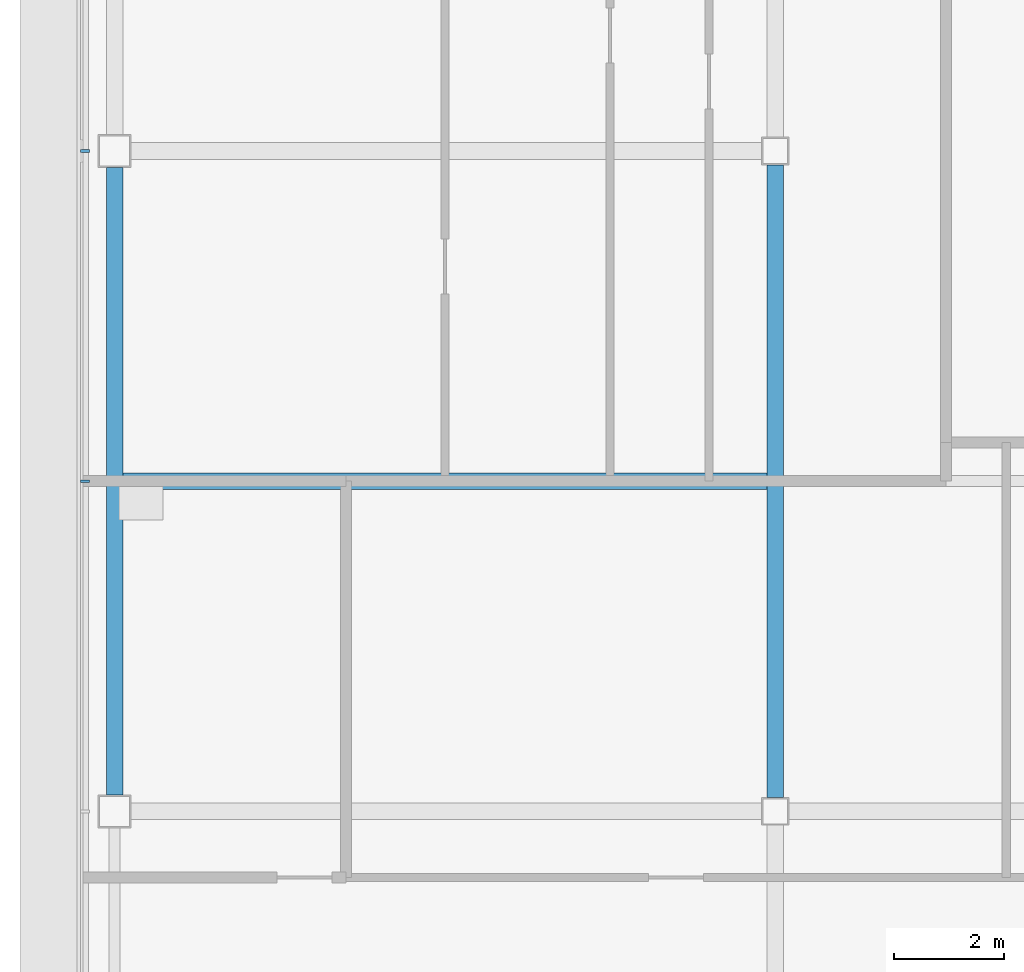
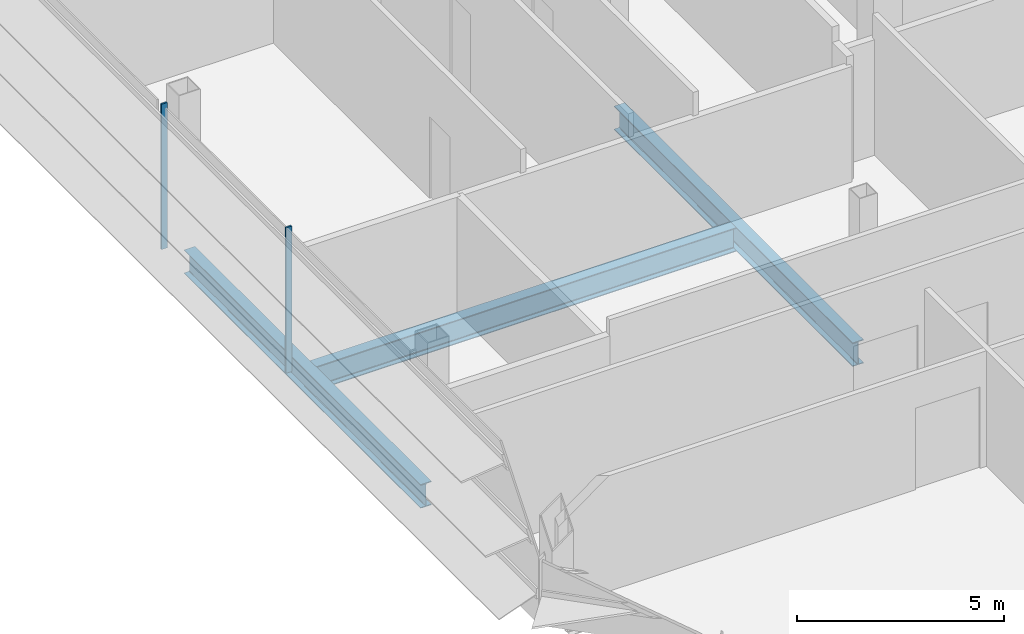
# One storey, part 5 of 29: 3 beams, 2 members, 1 element without a shape of its own.
"""IFC4 building model written with IfcOpenShell, lengths in metres."""

from ifc_helpers import new_model, si_unit, direction, frame, origin, origin_2d, place, context, subcontext, project, spatial, rectangle, i_section, extrude, material, material_profile, profile_set, type_object, element, aggregate, save


model = new_model("IFC4")

# Units and contexts
model_context = context("Model", 3, precision=1e-05, world=origin(), true_north=direction((0.0, 1.0)))
body_context = subcontext(model_context, "Body", "Model", "MODEL_VIEW")
ifc_project = project(units=[si_unit("LENGTHUNIT", "METRE"), si_unit("AREAUNIT", "SQUARE_METRE"), si_unit("VOLUMEUNIT", "CUBIC_METRE"), si_unit("PLANEANGLEUNIT", "RADIAN"), si_unit("MASSUNIT", "GRAM", prefix="KILO")], contexts=[model_context])

# Site, building, storey
site_placement = place(None, origin())
site = spatial("IfcSite", under=ifc_project, at=site_placement, CompositionType="ELEMENT")
building_placement = place(site_placement, origin())
building = spatial("IfcBuilding", under=site, at=building_placement, Name="Sorahane Residences", CompositionType="ELEMENT")
storey_placement = place(building_placement, frame((0.0, 0.0, 277.39990234375)))
storey = spatial("IfcBuildingStorey", under=building, at=storey_placement, Name="L66", CompositionType="ELEMENT", Elevation=277.39990234375)

# Curtain wall, members
ifc_material_1 = material(Name="Dark low-e glass and black anodised aluminium", Category="aluminium")
curtain_wall_type = type_object("IfcCurtainWallType", Name="Curtain wall CW-1 Typical unitised wall", PredefinedType="NOTDEFINED", material=ifc_material_1)
curtain_wall_placement = place(storey_placement, origin())
curtain_wall = element("IfcCurtainWall", 1, at=curtain_wall_placement, inside=storey, type_object=curtain_wall_type, Name="CW-1 curtain wall L66 W1", PredefinedType="NOTDEFINED")
ifc_material_2 = material(Name="Black anodised aluminium", Category="aluminium")
ifc_material_profile_1 = material_profile(ifc_material_2, rectangle(XDim=0.159912109375, YDim=0.050048828125, at=origin_2d()), Name="Curtain wall mullion CW-1 black anodised aluminium 50x160")
ifc_profile_set_1 = profile_set([ifc_material_profile_1], Name="Black anodised aluminium")
member_type = type_object("IfcMemberType", Name="Curtain wall mullion CW-1 black anodised aluminium 50x160", PredefinedType="MULLION", material=ifc_profile_set_1)
member_1_placement = place(storey_placement, frame((-12.5400390625, 24.0, -0.179931640625), z_axis=(0.0, 0.0, 1.0), x_axis=(-1.0, 0.0, 0.0)))
member_1 = element("IfcMember", 2, at=member_1_placement, type_object=member_type, Name="CW-1 mullion L66 W1.4", PredefinedType="MULLION", context=body_context, shape_type="SweptSolid", body=[
    extrude(rectangle(XDim=0.159912109375, YDim=0.050048828125, at=origin_2d()), origin(), (0.0, 0.0, 1.0), 4.280029296875),
])
member_2_placement = place(storey_placement, frame((-12.5400390625, 18.0, -0.179931640625), z_axis=(0.0, 0.0, 1.0), x_axis=(-1.0, 0.0, 0.0)))
member_2 = element("IfcMember", 3, at=member_2_placement, type_object=member_type, Name="CW-1 mullion L66 W1.5", PredefinedType="MULLION", context=body_context, shape_type="SweptSolid", body=[
    extrude(rectangle(XDim=0.159912109375, YDim=0.050048828125, at=origin_2d()), origin(), (0.0, 0.0, 1.0), 4.280029296875),
])
aggregate(curtain_wall, [member_1, member_2])

# Beams
ifc_material_3 = material(Name="Steel Q355B", Category="steel")
ifc_material_profile_2 = material_profile(ifc_material_3, i_section(OverallWidth=0.300048828125, OverallDepth=0.699951171875, WebThickness=0.012939453125, FlangeThickness=0.02392578125, FilletRadius=0.028076171875, at=origin_2d()), Name="HN 700x300x13x24")
ifc_profile_set_2 = profile_set([ifc_material_profile_2], Name="Steel Q355B")
beam_type = type_object("IfcBeamType", Name="Steel floor beam HN 700x300x13x24 Q355B", PredefinedType="BEAM", material=ifc_profile_set_2)
beam_1_placement = place(storey_placement, frame((-12.0, 12.300048828125, -0.52978515625), z_axis=(0.0, 1.0, 0.0), x_axis=(-1.0, 0.0, 0.0)))
element("IfcBeam", 4, at=beam_1_placement, inside=storey, type_object=beam_type, Name="Beam L66 021", PredefinedType="BEAM", context=body_context, shape_type="SweptSolid", body=[
    extrude(i_section(OverallWidth=0.300048828125, OverallDepth=0.699951171875, WebThickness=0.012939453125, FlangeThickness=0.02392578125, FilletRadius=0.028076171875, at=origin_2d()), origin(), (0.0, 0.0, 1.0), 11.39990234375),
])
beam_2_placement = place(storey_placement, frame((0.0, 12.25, -0.52978515625), z_axis=(0.0, 1.0, 0.0), x_axis=(-1.0, 0.0, 0.0)))
element("IfcBeam", 5, at=beam_2_placement, inside=storey, type_object=beam_type, Name="Beam L66 025", PredefinedType="BEAM", context=body_context, shape_type="SweptSolid", body=[
    extrude(i_section(OverallWidth=0.300048828125, OverallDepth=0.699951171875, WebThickness=0.012939453125, FlangeThickness=0.02392578125, FilletRadius=0.028076171875, at=origin_2d()), origin(), (0.0, 0.0, 1.0), 11.5),
])
beam_3_placement = place(storey_placement, frame((-11.85009765625, 18.0, -0.52978515625), z_axis=(1.0, 0.0, 0.0), x_axis=(0.0, 1.0, 0.0)))
element("IfcBeam", 6, at=beam_3_placement, inside=storey, type_object=beam_type, Name="Beam L66 078", PredefinedType="BEAM", context=body_context, shape_type="SweptSolid", body=[
    extrude(i_section(OverallWidth=0.300048828125, OverallDepth=0.699951171875, WebThickness=0.012939453125, FlangeThickness=0.02392578125, FilletRadius=0.028076171875, at=origin_2d()), origin(), (0.0, 0.0, 1.0), 11.7001953125),
])

save(model, "model.ifc")
